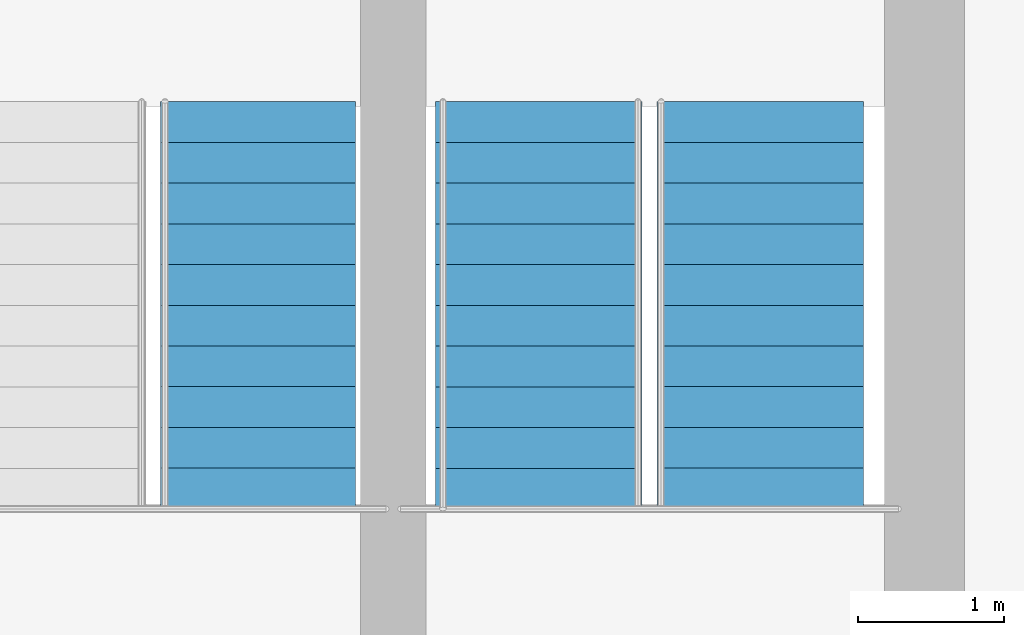
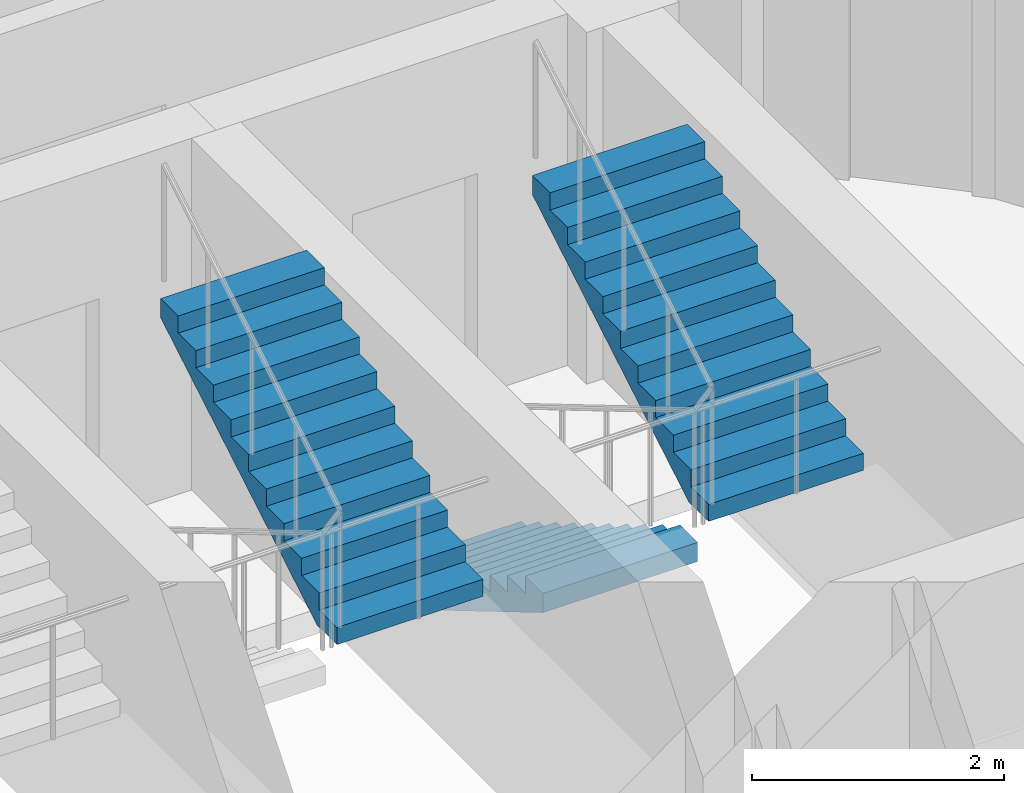
# One storey, part 26 of 27: 3 stair flights, 2 elements without a shape of their own.
"""IFC4 building model written with IfcOpenShell, lengths in metres."""

from ifc_helpers import new_model, si_unit, direction, frame, origin, place, context, subcontext, project, spatial, polyline, outline, extrude, material, type_object, element, aggregate, save


model = new_model("IFC4")

# Units and contexts
model_context = context("Model", 3, precision=1e-05, world=origin(), true_north=direction((0.0, 1.0)))
body_context = subcontext(model_context, "Body", "Model", "MODEL_VIEW")
ifc_project = project(units=[si_unit("LENGTHUNIT", "METRE"), si_unit("AREAUNIT", "SQUARE_METRE"), si_unit("VOLUMEUNIT", "CUBIC_METRE"), si_unit("PLANEANGLEUNIT", "RADIAN"), si_unit("MASSUNIT", "GRAM", prefix="KILO")], contexts=[model_context])

# Site, building, storey
site_placement = place(None, origin())
site = spatial("IfcSite", under=ifc_project, at=site_placement, CompositionType="ELEMENT")
building_placement = place(site_placement, origin())
building = spatial("IfcBuilding", under=site, at=building_placement, Name="Nuhasar Tower", CompositionType="ELEMENT")
storey_placement = place(building_placement, frame((0.0, 0.0, 215.449951171875)))
storey = spatial("IfcBuildingStorey", under=building, at=storey_placement, Name="L52", CompositionType="ELEMENT", Elevation=215.449951171875)

# Stair, stair flights
ifc_material = material(Name="Concrete C45/55", Category="concrete")
stair_type_1 = type_object("IfcStairType", Name="STR-ST-02-2F-22R-1659", PredefinedType="HALF_TURN_STAIR", material=ifc_material)
stair_1_placement = place(storey_placement, origin())
stair_1 = element("IfcStair", 1, at=stair_1_placement, inside=storey, type_object=stair_type_1, Name="L52 Exit Stair ST-02", PredefinedType="HALF_TURN_STAIR")
stair_flight_type_1 = type_object("IfcStairFlightType", Name="SFL-ST-02-11R-1659", PredefinedType="STRAIGHT", material=ifc_material)
stair_flight_1_placement = place(storey_placement, frame((41.64990234375, 35.284912109375, 0.0), z_axis=(0.0, 0.0, 1.0), x_axis=(0.0, -1.0, 0.0)))
stair_flight_1 = element("IfcStairFlight", 2, at=stair_flight_1_placement, type_object=stair_flight_type_1, Name="ST-02 flight 1", NumberOfRisers=11, NumberOfTreads=10, PredefinedType="STRAIGHT", RiserHeight=0.165909, TreadLength=0.28, context=body_context, shape_type="SweptSolid", body=[
    extrude(outline(polyline([(0.0, 0.0), (0.0, 0.166015625), (0.280029296875, 0.166015625), (0.280029296875, 0.331787109375), (0.56005859375, 0.331787109375), (0.56005859375, 0.497802734375), (0.840087890625, 0.497802734375), (0.840087890625, 0.66357421875), (1.1201171875, 0.66357421875), (1.1201171875, 0.82958984375), (1.39990234375, 0.82958984375), (1.39990234375, 0.995361328125), (1.679931640625, 0.995361328125), (1.679931640625, 1.161376953125), (1.9599609375, 1.161376953125), (1.9599609375, 1.327392578125), (2.239990234375, 1.327392578125), (2.239990234375, 1.4931640625), (2.52001953125, 1.4931640625), (2.52001953125, 1.6591796875), (2.800048828125, 1.6591796875), (2.800048828125, 1.824951171875), (2.800048828125, 1.47314453125), (0.313720703125, 0.0), (0.0, 0.0)])), frame((0.0, 0.7099609375, 0.0), z_axis=(0.0, -1.0, 0.0), x_axis=(1.0, 0.0, 0.0)), (0.0, 0.0, 1.0), 1.419921875),
])
stair_flight_2_placement = place(storey_placement, frame((43.169921875, 32.485107421875, 1.824951171875), z_axis=(0.0, 0.0, 1.0), x_axis=(0.0, 1.0, 0.0)))
stair_flight_2 = element("IfcStairFlight", 3, at=stair_flight_2_placement, type_object=stair_flight_type_1, Name="ST-02 flight 2", NumberOfRisers=11, NumberOfTreads=10, PredefinedType="STRAIGHT", RiserHeight=0.165909, TreadLength=0.28, context=body_context, shape_type="SweptSolid", body=[
    extrude(outline(polyline([(0.0, 0.0), (0.0, 0.166015625), (0.280029296875, 0.166015625), (0.280029296875, 0.331787109375), (0.56005859375, 0.331787109375), (0.56005859375, 0.497802734375), (0.840087890625, 0.497802734375), (0.840087890625, 0.66357421875), (1.1201171875, 0.66357421875), (1.1201171875, 0.82958984375), (1.39990234375, 0.82958984375), (1.39990234375, 0.995361328125), (1.679931640625, 0.995361328125), (1.679931640625, 1.161376953125), (1.9599609375, 1.161376953125), (1.9599609375, 1.327392578125), (2.239990234375, 1.327392578125), (2.239990234375, 1.4931640625), (2.52001953125, 1.4931640625), (2.52001953125, 1.6591796875), (2.800048828125, 1.6591796875), (2.800048828125, 1.824951171875), (2.800048828125, 1.47314453125), (0.313720703125, 0.0), (0.0, 0.0)])), frame((0.0, 0.7099609375, 0.0), z_axis=(0.0, -1.0, 0.0), x_axis=(1.0, 0.0, 0.0)), (0.0, 0.0, 1.0), 1.419921875),
])
aggregate(stair_1, [stair_flight_1, stair_flight_2])

# Stair, stair flight
stair_type_2 = type_object("IfcStairType", Name="STR-ST-03-2F-22R-1659", PredefinedType="HALF_TURN_STAIR", material=ifc_material)
stair_2_placement = place(storey_placement, origin())
stair_2 = element("IfcStair", 4, at=stair_2_placement, inside=storey, type_object=stair_type_2, Name="L52 Exit Stair ST-03", PredefinedType="HALF_TURN_STAIR")
stair_flight_type_2 = type_object("IfcStairFlightType", Name="SFL-ST-03-11R-1659", PredefinedType="STRAIGHT", material=ifc_material)
stair_flight_3_placement = place(storey_placement, frame((39.719970703125, 32.485107421875, 1.824951171875), z_axis=(0.0, 0.0, 1.0), x_axis=(0.0, 1.0, 0.0)))
stair_flight_3 = element("IfcStairFlight", 5, at=stair_flight_3_placement, type_object=stair_flight_type_2, Name="ST-03 flight 2", NumberOfRisers=11, NumberOfTreads=10, PredefinedType="STRAIGHT", RiserHeight=0.165909, TreadLength=0.28, context=body_context, shape_type="SweptSolid", body=[
    extrude(outline(polyline([(0.0, 0.0), (0.0, 0.166015625), (0.280029296875, 0.166015625), (0.280029296875, 0.331787109375), (0.56005859375, 0.331787109375), (0.56005859375, 0.497802734375), (0.840087890625, 0.497802734375), (0.840087890625, 0.66357421875), (1.1201171875, 0.66357421875), (1.1201171875, 0.82958984375), (1.39990234375, 0.82958984375), (1.39990234375, 0.995361328125), (1.679931640625, 0.995361328125), (1.679931640625, 1.161376953125), (1.9599609375, 1.161376953125), (1.9599609375, 1.327392578125), (2.239990234375, 1.327392578125), (2.239990234375, 1.4931640625), (2.52001953125, 1.4931640625), (2.52001953125, 1.6591796875), (2.800048828125, 1.6591796875), (2.800048828125, 1.824951171875), (2.800048828125, 1.47314453125), (0.313720703125, 0.0), (0.0, 0.0)])), frame((0.0, 0.669921875, 0.0), z_axis=(0.0, -1.0, 0.0), x_axis=(1.0, 0.0, 0.0)), (0.0, 0.0, 1.0), 1.340087890625),
])
aggregate(stair_2, [stair_flight_3])

save(model, "model.ifc")
